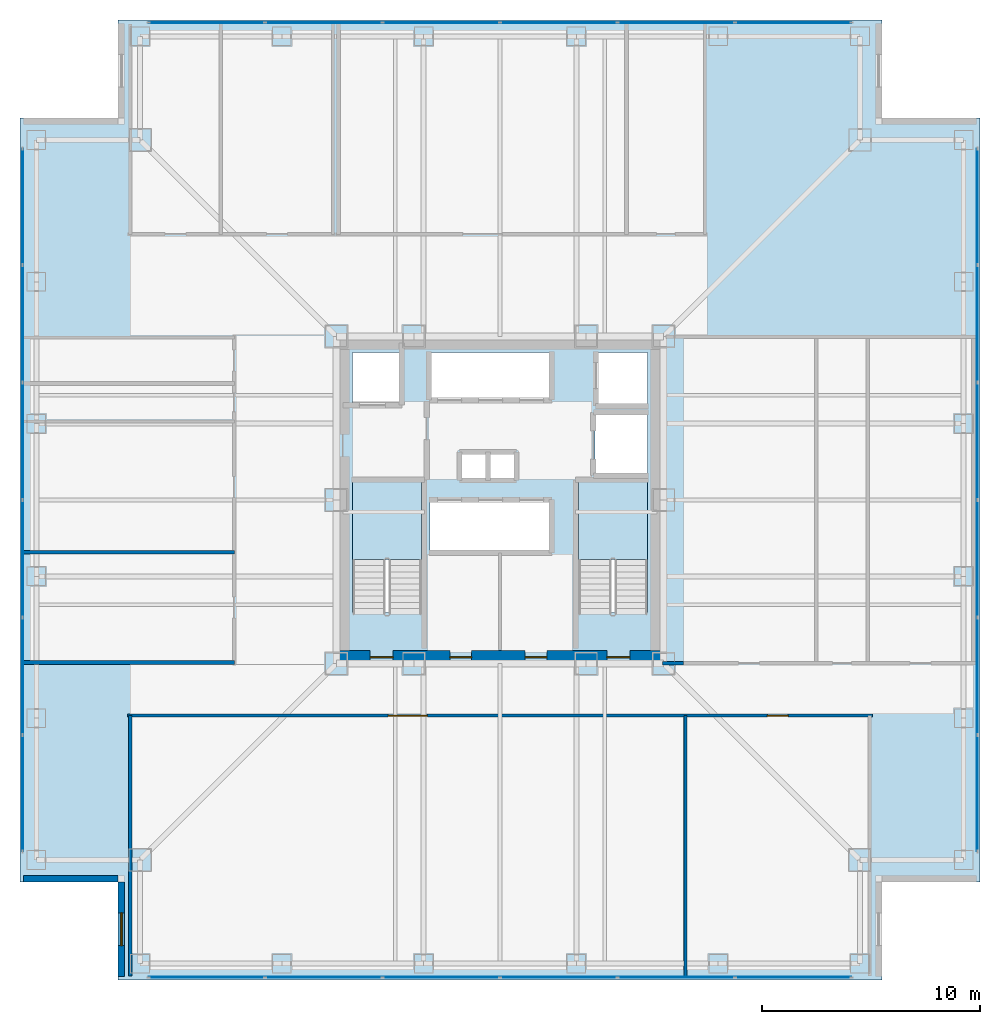
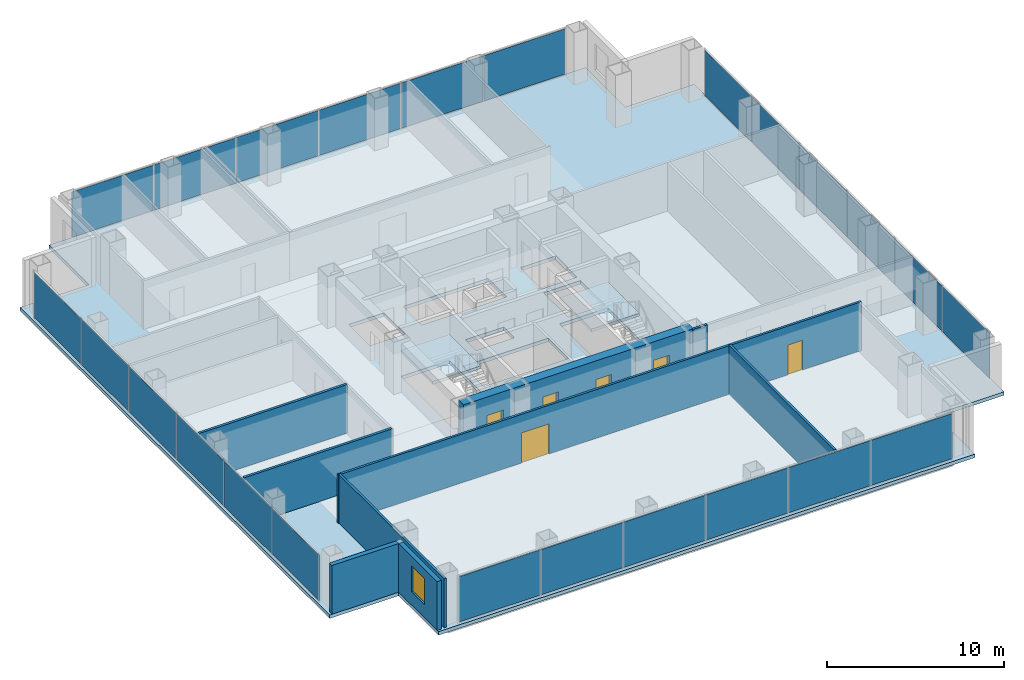
# One storey, part 9 of 14: 24 plates, 9 walls, 6 doors, 3 slabs, 1 window, 7 openings, 6 elements without a shape of their own.
"""IFC4 building model written with IfcOpenShell, lengths in metres."""

from ifc_helpers import new_model, si_unit, direction, frame, frame_2d, origin, origin_2d, place, context, subcontext, project, spatial, polyline, rectangle, outline, extrude, material, layer, layer_set, type_object, element, fill, aggregate, save


model = new_model("IFC4")

# Units and contexts
model_context = context("Model", 3, precision=1e-05, world=origin(), true_north=direction((0.0, 1.0)))
body_context = subcontext(model_context, "Body", "Model", "MODEL_VIEW")
ifc_project = project(units=[si_unit("LENGTHUNIT", "METRE"), si_unit("AREAUNIT", "SQUARE_METRE"), si_unit("VOLUMEUNIT", "CUBIC_METRE"), si_unit("PLANEANGLEUNIT", "RADIAN"), si_unit("MASSUNIT", "GRAM", prefix="KILO")], contexts=[model_context])

# Site, building, storey
site_placement = place(None, origin())
site = spatial("IfcSite", under=ifc_project, at=site_placement, CompositionType="ELEMENT")
building_placement = place(site_placement, origin())
building = spatial("IfcBuilding", under=site, at=building_placement, Name="Trevonay Congress Spire", CompositionType="ELEMENT")
storey_placement = place(building_placement, frame((0.0, 0.0, 140.800048828125)))
storey = spatial("IfcBuildingStorey", under=building, at=storey_placement, Name="L36", CompositionType="ELEMENT", Elevation=140.800048828125)

# Curtain wall, plates
ifc_material_1 = material(Name="Pale Anodised Aluminium EN AW-6063-T6", Category="aluminium")
ifc_layer_1 = layer(ifc_material_1, 0.175048828125, Name="Pale Anodised Aluminium EN AW-6063-T6")
ifc_layer_set_1 = layer_set([ifc_layer_1], Name="Pale Anodised Aluminium EN AW-6063-T6")
curtain_wall_type = type_object("IfcCurtainWallType", Name="CW-SYS03-CONGRESS-PALE-METAL", PredefinedType="NOTDEFINED", material=ifc_layer_set_1)
curtain_wall_1_placement = place(storey_placement, origin())
curtain_wall_1 = element("IfcCurtainWall", 1, at=curtain_wall_1_placement, inside=storey, type_object=curtain_wall_type, Name="L36 S unitised curtain wall", PredefinedType="NOTDEFINED")
ifc_material_2 = material(Name="Insulated Low-E Vision Glass IGU", Category="glass")
ifc_layer_2 = layer(ifc_material_2, 0.035888671875, Name="Insulated Low-E Vision Glass IGU")
ifc_layer_set_2 = layer_set([ifc_layer_2], Name="Insulated Low-E Vision Glass IGU")
plate_type = type_object("IfcPlateType", Name="CW-PANEL-IGU36-SILVER", PredefinedType="CURTAIN_PANEL", material=ifc_layer_set_2)
plate_1_placement = place(storey_placement, frame((-13.443359375, -21.8798828125, 0.119873046875), z_axis=(0.0, 0.0, 1.0), x_axis=(1.0, 0.0, 0.0)))
plate_1 = element("IfcPlate", 2, at=plate_1_placement, type_object=plate_type, Name="CW03 panel 1.1", PredefinedType="CURTAIN_PANEL", context=body_context, shape_type="SweptSolid", body=[
    extrude(rectangle(XDim=5.293212890625, YDim=0.035888671875, at=origin_2d()), origin(), (0.0, 0.0, 1.0), 3.1201171875),
])
plate_2_placement = place(storey_placement, frame((-8.074951171875, -21.8798828125, 0.119873046875), z_axis=(0.0, 0.0, 1.0), x_axis=(1.0, 0.0, 0.0)))
plate_2 = element("IfcPlate", 3, at=plate_2_placement, type_object=plate_type, Name="CW03 panel 2.1", PredefinedType="CURTAIN_PANEL", context=body_context, shape_type="SweptSolid", body=[
    extrude(rectangle(XDim=5.3232421875, YDim=0.035888671875, at=origin_2d()), origin(), (0.0, 0.0, 1.0), 3.1201171875),
])
plate_3_placement = place(storey_placement, frame((-2.691650390625, -21.8798828125, 0.119873046875), z_axis=(0.0, 0.0, 1.0), x_axis=(1.0, 0.0, 0.0)))
plate_3 = element("IfcPlate", 4, at=plate_3_placement, type_object=plate_type, Name="CW03 panel 3.1", PredefinedType="CURTAIN_PANEL", context=body_context, shape_type="SweptSolid", body=[
    extrude(rectangle(XDim=5.3232421875, YDim=0.035888671875, at=origin_2d()), origin(), (0.0, 0.0, 1.0), 3.1201171875),
])
plate_4_placement = place(storey_placement, frame((2.691650390625, -21.8798828125, 0.119873046875), z_axis=(0.0, 0.0, 1.0), x_axis=(1.0, 0.0, 0.0)))
plate_4 = element("IfcPlate", 5, at=plate_4_placement, type_object=plate_type, Name="CW03 panel 4.1", PredefinedType="CURTAIN_PANEL", context=body_context, shape_type="SweptSolid", body=[
    extrude(rectangle(XDim=5.3232421875, YDim=0.035888671875, at=origin_2d()), origin(), (0.0, 0.0, 1.0), 3.1201171875),
])
plate_5_placement = place(storey_placement, frame((8.074951171875, -21.8798828125, 0.119873046875), z_axis=(0.0, 0.0, 1.0), x_axis=(1.0, 0.0, 0.0)))
plate_5 = element("IfcPlate", 6, at=plate_5_placement, type_object=plate_type, Name="CW03 panel 5.1", PredefinedType="CURTAIN_PANEL", context=body_context, shape_type="SweptSolid", body=[
    extrude(rectangle(XDim=5.3232421875, YDim=0.035888671875, at=origin_2d()), origin(), (0.0, 0.0, 1.0), 3.1201171875),
])
plate_6_placement = place(storey_placement, frame((13.443359375, -21.8798828125, 0.119873046875), z_axis=(0.0, 0.0, 1.0), x_axis=(1.0, 0.0, 0.0)))
plate_6 = element("IfcPlate", 7, at=plate_6_placement, type_object=plate_type, Name="CW03 panel 6.1", PredefinedType="CURTAIN_PANEL", context=body_context, shape_type="SweptSolid", body=[
    extrude(rectangle(XDim=5.293212890625, YDim=0.035888671875, at=origin_2d()), origin(), (0.0, 0.0, 1.0), 3.1201171875),
])
aggregate(curtain_wall_1, [plate_1, plate_2, plate_3, plate_4, plate_5, plate_6])

curtain_wall_2_placement = place(storey_placement, origin())
curtain_wall_2 = element("IfcCurtainWall", 8, at=curtain_wall_2_placement, inside=storey, type_object=curtain_wall_type, Name="L36 N unitised curtain wall", PredefinedType="NOTDEFINED")
plate_7_placement = place(storey_placement, frame((-13.443359375, 21.8798828125, 0.119873046875), z_axis=(0.0, 0.0, 1.0), x_axis=(1.0, 0.0, 0.0)))
plate_7 = element("IfcPlate", 9, at=plate_7_placement, type_object=plate_type, Name="CW03 panel 1.1", PredefinedType="CURTAIN_PANEL", context=body_context, shape_type="SweptSolid", body=[
    extrude(rectangle(XDim=5.293212890625, YDim=0.035888671875, at=origin_2d()), origin(), (0.0, 0.0, 1.0), 3.1201171875),
])
plate_8_placement = place(storey_placement, frame((-8.074951171875, 21.8798828125, 0.119873046875), z_axis=(0.0, 0.0, 1.0), x_axis=(1.0, 0.0, 0.0)))
plate_8 = element("IfcPlate", 10, at=plate_8_placement, type_object=plate_type, Name="CW03 panel 2.1", PredefinedType="CURTAIN_PANEL", context=body_context, shape_type="SweptSolid", body=[
    extrude(rectangle(XDim=5.3232421875, YDim=0.035888671875, at=origin_2d()), origin(), (0.0, 0.0, 1.0), 3.1201171875),
])
plate_9_placement = place(storey_placement, frame((-2.691650390625, 21.8798828125, 0.119873046875), z_axis=(0.0, 0.0, 1.0), x_axis=(1.0, 0.0, 0.0)))
plate_9 = element("IfcPlate", 11, at=plate_9_placement, type_object=plate_type, Name="CW03 panel 3.1", PredefinedType="CURTAIN_PANEL", context=body_context, shape_type="SweptSolid", body=[
    extrude(rectangle(XDim=5.3232421875, YDim=0.035888671875, at=origin_2d()), origin(), (0.0, 0.0, 1.0), 3.1201171875),
])
plate_10_placement = place(storey_placement, frame((2.691650390625, 21.8798828125, 0.119873046875), z_axis=(0.0, 0.0, 1.0), x_axis=(1.0, 0.0, 0.0)))
plate_10 = element("IfcPlate", 12, at=plate_10_placement, type_object=plate_type, Name="CW03 panel 4.1", PredefinedType="CURTAIN_PANEL", context=body_context, shape_type="SweptSolid", body=[
    extrude(rectangle(XDim=5.3232421875, YDim=0.035888671875, at=origin_2d()), origin(), (0.0, 0.0, 1.0), 3.1201171875),
])
plate_11_placement = place(storey_placement, frame((8.074951171875, 21.8798828125, 0.119873046875), z_axis=(0.0, 0.0, 1.0), x_axis=(1.0, 0.0, 0.0)))
plate_11 = element("IfcPlate", 13, at=plate_11_placement, type_object=plate_type, Name="CW03 panel 5.1", PredefinedType="CURTAIN_PANEL", context=body_context, shape_type="SweptSolid", body=[
    extrude(rectangle(XDim=5.3232421875, YDim=0.035888671875, at=origin_2d()), origin(), (0.0, 0.0, 1.0), 3.1201171875),
])
plate_12_placement = place(storey_placement, frame((13.443359375, 21.8798828125, 0.119873046875), z_axis=(0.0, 0.0, 1.0), x_axis=(1.0, 0.0, 0.0)))
plate_12 = element("IfcPlate", 14, at=plate_12_placement, type_object=plate_type, Name="CW03 panel 6.1", PredefinedType="CURTAIN_PANEL", context=body_context, shape_type="SweptSolid", body=[
    extrude(rectangle(XDim=5.293212890625, YDim=0.035888671875, at=origin_2d()), origin(), (0.0, 0.0, 1.0), 3.1201171875),
])
aggregate(curtain_wall_2, [plate_7, plate_8, plate_9, plate_10, plate_11, plate_12])

curtain_wall_3_placement = place(storey_placement, origin())
curtain_wall_3 = element("IfcCurtainWall", 15, at=curtain_wall_3_placement, inside=storey, type_object=curtain_wall_type, Name="L36 W unitised curtain wall", PredefinedType="NOTDEFINED")
plate_13_placement = place(storey_placement, frame((-21.8798828125, -13.443359375, 0.119873046875), z_axis=(0.0, 0.0, 1.0), x_axis=(0.0, 1.0, 0.0)))
plate_13 = element("IfcPlate", 16, at=plate_13_placement, type_object=plate_type, Name="CW03 panel 1.1", PredefinedType="CURTAIN_PANEL", context=body_context, shape_type="SweptSolid", body=[
    extrude(rectangle(XDim=5.293212890625, YDim=0.035888671875, at=origin_2d()), origin(), (0.0, 0.0, 1.0), 3.1201171875),
])
plate_14_placement = place(storey_placement, frame((-21.8798828125, -8.074951171875, 0.119873046875), z_axis=(0.0, 0.0, 1.0), x_axis=(0.0, 1.0, 0.0)))
plate_14 = element("IfcPlate", 17, at=plate_14_placement, type_object=plate_type, Name="CW03 panel 2.1", PredefinedType="CURTAIN_PANEL", context=body_context, shape_type="SweptSolid", body=[
    extrude(rectangle(XDim=5.3232421875, YDim=0.035888671875, at=origin_2d()), origin(), (0.0, 0.0, 1.0), 3.1201171875),
])
plate_15_placement = place(storey_placement, frame((-21.8798828125, -2.691650390625, 0.119873046875), z_axis=(0.0, 0.0, 1.0), x_axis=(0.0, 1.0, 0.0)))
plate_15 = element("IfcPlate", 18, at=plate_15_placement, type_object=plate_type, Name="CW03 panel 3.1", PredefinedType="CURTAIN_PANEL", context=body_context, shape_type="SweptSolid", body=[
    extrude(rectangle(XDim=5.3232421875, YDim=0.035888671875, at=origin_2d()), origin(), (0.0, 0.0, 1.0), 3.1201171875),
])
plate_16_placement = place(storey_placement, frame((-21.8798828125, 2.691650390625, 0.119873046875), z_axis=(0.0, 0.0, 1.0), x_axis=(0.0, 1.0, 0.0)))
plate_16 = element("IfcPlate", 19, at=plate_16_placement, type_object=plate_type, Name="CW03 panel 4.1", PredefinedType="CURTAIN_PANEL", context=body_context, shape_type="SweptSolid", body=[
    extrude(rectangle(XDim=5.3232421875, YDim=0.035888671875, at=origin_2d()), origin(), (0.0, 0.0, 1.0), 3.1201171875),
])
plate_17_placement = place(storey_placement, frame((-21.8798828125, 8.074951171875, 0.119873046875), z_axis=(0.0, 0.0, 1.0), x_axis=(0.0, 1.0, 0.0)))
plate_17 = element("IfcPlate", 20, at=plate_17_placement, type_object=plate_type, Name="CW03 panel 5.1", PredefinedType="CURTAIN_PANEL", context=body_context, shape_type="SweptSolid", body=[
    extrude(rectangle(XDim=5.3232421875, YDim=0.035888671875, at=origin_2d()), origin(), (0.0, 0.0, 1.0), 3.1201171875),
])
plate_18_placement = place(storey_placement, frame((-21.8798828125, 13.443359375, 0.119873046875), z_axis=(0.0, 0.0, 1.0), x_axis=(0.0, 1.0, 0.0)))
plate_18 = element("IfcPlate", 21, at=plate_18_placement, type_object=plate_type, Name="CW03 panel 6.1", PredefinedType="CURTAIN_PANEL", context=body_context, shape_type="SweptSolid", body=[
    extrude(rectangle(XDim=5.293212890625, YDim=0.035888671875, at=origin_2d()), origin(), (0.0, 0.0, 1.0), 3.1201171875),
])
aggregate(curtain_wall_3, [plate_13, plate_14, plate_15, plate_16, plate_17, plate_18])

curtain_wall_4_placement = place(storey_placement, origin())
curtain_wall_4 = element("IfcCurtainWall", 22, at=curtain_wall_4_placement, inside=storey, type_object=curtain_wall_type, Name="L36 E unitised curtain wall", PredefinedType="NOTDEFINED")
plate_19_placement = place(storey_placement, frame((21.8798828125, -13.443359375, 0.119873046875), z_axis=(0.0, 0.0, 1.0), x_axis=(0.0, 1.0, 0.0)))
plate_19 = element("IfcPlate", 23, at=plate_19_placement, type_object=plate_type, Name="CW03 panel 1.1", PredefinedType="CURTAIN_PANEL", context=body_context, shape_type="SweptSolid", body=[
    extrude(rectangle(XDim=5.293212890625, YDim=0.035888671875, at=origin_2d()), origin(), (0.0, 0.0, 1.0), 3.1201171875),
])
plate_20_placement = place(storey_placement, frame((21.8798828125, -8.074951171875, 0.119873046875), z_axis=(0.0, 0.0, 1.0), x_axis=(0.0, 1.0, 0.0)))
plate_20 = element("IfcPlate", 24, at=plate_20_placement, type_object=plate_type, Name="CW03 panel 2.1", PredefinedType="CURTAIN_PANEL", context=body_context, shape_type="SweptSolid", body=[
    extrude(rectangle(XDim=5.3232421875, YDim=0.035888671875, at=origin_2d()), origin(), (0.0, 0.0, 1.0), 3.1201171875),
])
plate_21_placement = place(storey_placement, frame((21.8798828125, -2.691650390625, 0.119873046875), z_axis=(0.0, 0.0, 1.0), x_axis=(0.0, 1.0, 0.0)))
plate_21 = element("IfcPlate", 25, at=plate_21_placement, type_object=plate_type, Name="CW03 panel 3.1", PredefinedType="CURTAIN_PANEL", context=body_context, shape_type="SweptSolid", body=[
    extrude(rectangle(XDim=5.3232421875, YDim=0.035888671875, at=origin_2d()), origin(), (0.0, 0.0, 1.0), 3.1201171875),
])
plate_22_placement = place(storey_placement, frame((21.8798828125, 2.691650390625, 0.119873046875), z_axis=(0.0, 0.0, 1.0), x_axis=(0.0, 1.0, 0.0)))
plate_22 = element("IfcPlate", 26, at=plate_22_placement, type_object=plate_type, Name="CW03 panel 4.1", PredefinedType="CURTAIN_PANEL", context=body_context, shape_type="SweptSolid", body=[
    extrude(rectangle(XDim=5.3232421875, YDim=0.035888671875, at=origin_2d()), origin(), (0.0, 0.0, 1.0), 3.1201171875),
])
plate_23_placement = place(storey_placement, frame((21.8798828125, 8.074951171875, 0.119873046875), z_axis=(0.0, 0.0, 1.0), x_axis=(0.0, 1.0, 0.0)))
plate_23 = element("IfcPlate", 27, at=plate_23_placement, type_object=plate_type, Name="CW03 panel 5.1", PredefinedType="CURTAIN_PANEL", context=body_context, shape_type="SweptSolid", body=[
    extrude(rectangle(XDim=5.3232421875, YDim=0.035888671875, at=origin_2d()), origin(), (0.0, 0.0, 1.0), 3.1201171875),
])
plate_24_placement = place(storey_placement, frame((21.8798828125, 13.443359375, 0.119873046875), z_axis=(0.0, 0.0, 1.0), x_axis=(0.0, 1.0, 0.0)))
plate_24 = element("IfcPlate", 28, at=plate_24_placement, type_object=plate_type, Name="CW03 panel 6.1", PredefinedType="CURTAIN_PANEL", context=body_context, shape_type="SweptSolid", body=[
    extrude(rectangle(XDim=5.293212890625, YDim=0.035888671875, at=origin_2d()), origin(), (0.0, 0.0, 1.0), 3.1201171875),
])
aggregate(curtain_wall_4, [plate_19, plate_20, plate_21, plate_22, plate_23, plate_24])

# Stair, slab
ifc_material_3 = material(Name="Concrete C40/50", Category="concrete")
stair_type_1 = type_object("IfcStairType", Name="STR-ST-1", PredefinedType="HALF_TURN_STAIR", material=ifc_material_3)
stair_1_placement = place(storey_placement, origin())
stair_1 = element("IfcStair", 29, at=stair_1_placement, inside=storey, type_object=stair_type_1, Name="L36 Protected Exit Stair ST-1", PredefinedType="HALF_TURN_STAIR")
ifc_layer_3 = layer(ifc_material_3, 0.199951171875, Name="Concrete C40/50")
ifc_layer_set_3 = layer_set([ifc_layer_3], Name="Concrete C40/50")
slab_type_1 = type_object("IfcSlabType", Name="SLB-STAIR-LAND-200", PredefinedType="LANDING", material=ifc_layer_set_3)
slab_1_placement = place(storey_placement, frame((0.0, 0.0, 1.599853515625)))
slab_1 = element("IfcSlab", 30, at=slab_1_placement, type_object=slab_type_1, Name="ST-1 landing 1", PredefinedType="LANDING", context=body_context, shape_type="SweptSolid", body=[
    extrude(outline(polyline([(-3.60009765625, -2.72998046875), (-3.60009765625, 0.85009765625), (-6.75, 0.85009765625), (-6.75, -2.72998046875), (-3.60009765625, -2.72998046875)])), origin(), (0.0, 0.0, 1.0), 0.2001953125),
])
aggregate(stair_1, [slab_1])

stair_type_2 = type_object("IfcStairType", Name="STR-ST-2", PredefinedType="HALF_TURN_STAIR", material=ifc_material_3)
stair_2_placement = place(storey_placement, origin())
stair_2 = element("IfcStair", 31, at=stair_2_placement, inside=storey, type_object=stair_type_2, Name="L36 Protected Exit Stair ST-2", PredefinedType="HALF_TURN_STAIR")
slab_2_placement = place(storey_placement, frame((0.0, 0.0, 1.599853515625)))
slab_2 = element("IfcSlab", 32, at=slab_2_placement, type_object=slab_type_1, Name="ST-2 landing 1", PredefinedType="LANDING", context=body_context, shape_type="SweptSolid", body=[
    extrude(outline(polyline([(6.75, -2.72998046875), (6.75, 0.85009765625), (3.60009765625, 0.85009765625), (3.60009765625, -2.72998046875), (6.75, -2.72998046875)])), origin(), (0.0, 0.0, 1.0), 0.2001953125),
])
aggregate(stair_2, [slab_2])

# Slab
ifc_layer_4 = layer(ifc_material_3, 0.239990234375, Name="Concrete C40/50")
ifc_layer_set_4 = layer_set([ifc_layer_4], Name="Concrete C40/50")
slab_type_2 = type_object("IfcSlabType", Name="SLB-TOW2-240", PredefinedType="FLOOR", material=ifc_layer_set_4)
slab_3_placement = place(storey_placement, frame((0.0, 0.0, -0.239990234375)))
element("IfcSlab", 33, at=slab_3_placement, inside=storey, type_object=slab_type_2, Name="L36 structural floor slab", PredefinedType="FLOOR", context=body_context, shape_type="SweptSolid", body=[
    extrude(outline(polyline([(-17.5, -22.0), (17.5, -22.0), (17.5, -17.5), (22.0, -17.5), (22.0, 17.5), (17.5, 17.5), (17.5, 22.0), (-17.5, 22.0), (-17.5, 17.5), (-22.0, 17.5), (-22.0, -17.5), (-17.5, -17.5), (-17.5, -22.0)]), holes=[polyline([(-3.60009765625, -5.14990234375), (-3.60009765625, 0.85009765625), (-6.75, 0.85009765625), (-6.75, -5.14990234375), (-3.60009765625, -5.14990234375)]), polyline([(6.75, -5.14990234375), (6.75, 0.85009765625), (3.60009765625, 0.85009765625), (3.60009765625, -5.14990234375), (6.75, -5.14990234375)]), polyline([(-3.199951171875, -2.35009765625), (2.340087890625, -2.35009765625), (2.340087890625, -0.050048828125), (-3.199951171875, -0.050048828125), (-3.199951171875, -2.35009765625)]), polyline([(-3.199951171875, 4.64990234375), (2.340087890625, 4.64990234375), (2.340087890625, 6.75), (-3.199951171875, 6.75), (-3.199951171875, 4.64990234375)]), polyline([(-6.75, 4.35009765625), (-4.449951171875, 4.35009765625), (-4.449951171875, 6.75), (-6.75, 6.75), (-6.75, 4.35009765625)]), polyline([(4.449951171875, 4.35009765625), (6.75, 4.35009765625), (6.75, 6.75), (4.449951171875, 6.75), (4.449951171875, 4.35009765625)]), polyline([(4.35009765625, 1.199951171875), (6.75, 1.199951171875), (6.75, 3.949951171875), (4.35009765625, 3.949951171875), (4.35009765625, 1.199951171875)]), polyline([(-1.800048828125, 0.949951171875), (0.699951171875, 0.949951171875), (0.699951171875, 2.14990234375), (-1.800048828125, 2.14990234375), (-1.800048828125, 0.949951171875)])]), origin(), (0.0, 0.0, 1.0), 0.239990234375),
])

# Wall, openings, doors
ifc_material_4 = material(Name="Concrete C60/75", Category="concrete")
ifc_layer_5 = layer(ifc_material_4, 0.60009765625, Name="Concrete C60/75")
ifc_layer_set_5 = layer_set([ifc_layer_5], Name="Concrete C60/75")
wall_type_1 = type_object("IfcWallType", Name="WAL-CORE-600", PredefinedType="SHEAR", material=ifc_layer_set_5)
wall_1_placement = place(storey_placement, frame((-7.5, -7.199951171875, 0.0), z_axis=(0.0, 0.0, 1.0), x_axis=(1.0, 0.0, 0.0)))
wall_1 = element("IfcWall", 34, at=wall_1_placement, inside=storey, type_object=wall_type_1, Name="L36 South structural core shear wall", PredefinedType="SHEAR", context=body_context, shape_type="SweptSolid", body=[
    extrude(rectangle(XDim=15.0, YDim=0.60009765625, at=frame_2d((7.5, 0.0))), origin(), (0.0, 0.0, 1.0), 3.35986328125),
])
opening_1_placement = place(wall_1_placement, frame((1.550048828125, 0.0, 0.0)))
opening_1 = element("IfcOpeningElement", 35, at=opening_1_placement, cuts=wall_1, Name="Opening D05", PredefinedType="OPENING", context=body_context, shape_type="SweptSolid", body=[
    extrude(rectangle(XDim=1.050048828125, YDim=2.080078125, at=frame_2d((0.52490234375, 1.0400390625))), frame((0.0, 0.31005859375, 0.0), z_axis=(0.0, -1.0, 0.0), x_axis=(1.0, 0.0, 0.0)), (0.0, 0.0, 1.0), 0.6201171875),
])
opening_2_placement = place(wall_1_placement, frame((12.39990234375, 0.0, 0.0)))
opening_2 = element("IfcOpeningElement", 36, at=opening_2_placement, cuts=wall_1, Name="Opening D05", PredefinedType="OPENING", context=body_context, shape_type="SweptSolid", body=[
    extrude(rectangle(XDim=1.050048828125, YDim=2.080078125, at=frame_2d((0.52490234375, 1.0400390625))), frame((0.0, 0.31005859375, 0.0), z_axis=(0.0, -1.0, 0.0), x_axis=(1.0, 0.0, 0.0)), (0.0, 0.0, 1.0), 0.6201171875),
])
opening_3_placement = place(wall_1_placement, frame((5.199951171875, 0.0, 0.0)))
opening_3 = element("IfcOpeningElement", 37, at=opening_3_placement, cuts=wall_1, Name="Opening D06", PredefinedType="OPENING", context=body_context, shape_type="SweptSolid", body=[
    extrude(rectangle(XDim=1.0, YDim=2.080078125, at=frame_2d((0.5, 1.0400390625))), frame((0.0, 0.31005859375, 0.0), z_axis=(0.0, -1.0, 0.0), x_axis=(1.0, 0.0, 0.0)), (0.0, 0.0, 1.0), 0.6201171875),
])
opening_4_placement = place(wall_1_placement, frame((8.64990234375, 0.0, 0.0)))
opening_4 = element("IfcOpeningElement", 38, at=opening_4_placement, cuts=wall_1, Name="Opening D06", PredefinedType="OPENING", context=body_context, shape_type="SweptSolid", body=[
    extrude(rectangle(XDim=1.0, YDim=2.080078125, at=frame_2d((0.5, 1.0400390625))), frame((0.0, 0.31005859375, 0.0), z_axis=(0.0, -1.0, 0.0), x_axis=(1.0, 0.0, 0.0)), (0.0, 0.0, 1.0), 0.6201171875),
])
ifc_material_5 = material(Name="Steel ASTM A572 Grade 50", Category="steel")
door_type_1 = type_object("IfcDoorType", Name="DOR-FIRE-100", OperationType="NOTDEFINED", PredefinedType="DOOR", material=ifc_material_5)
door_1_placement = place(opening_3_placement, origin())
door_1 = element("IfcDoor", 39, at=door_1_placement, inside=storey, type_object=door_type_1, Name="L36 South Core Room 1 Door", OperationType="SINGLE_SWING_RIGHT", OverallHeight=2.080078125, OverallWidth=1.0, PredefinedType="DOOR", context=body_context, shape_type="SweptSolid", body=[
    extrude(rectangle(XDim=1.0, YDim=2.080078125, at=frame_2d((0.5, 1.0400390625))), frame((0.0, 0.02490234375, 0.0), z_axis=(0.0, -1.0, 0.0), x_axis=(1.0, 0.0, 0.0)), (0.0, 0.0, 1.0), 0.050048828125),
])
fill(opening_3, door_1)
door_2_placement = place(opening_4_placement, origin())
door_2 = element("IfcDoor", 40, at=door_2_placement, inside=storey, type_object=door_type_1, Name="L36 South Core Room 2 Door", OperationType="SINGLE_SWING_LEFT", OverallHeight=2.080078125, OverallWidth=1.0, PredefinedType="DOOR", context=body_context, shape_type="SweptSolid", body=[
    extrude(rectangle(XDim=1.0, YDim=2.080078125, at=frame_2d((0.5, 1.0400390625))), frame((0.0, 0.02490234375, 0.0), z_axis=(0.0, -1.0, 0.0), x_axis=(1.0, 0.0, 0.0)), (0.0, 0.0, 1.0), 0.050048828125),
])
fill(opening_4, door_2)
door_type_2 = type_object("IfcDoorType", Name="DOR-STAIR-110", OperationType="NOTDEFINED", PredefinedType="DOOR", material=ifc_material_5)
door_3_placement = place(opening_1_placement, origin())
door_3 = element("IfcDoor", 41, at=door_3_placement, inside=storey, type_object=door_type_2, Name="L36 Protected Stair ST-1 Door", OperationType="SINGLE_SWING_LEFT", OverallHeight=2.080078125, OverallWidth=1.050048828125, PredefinedType="DOOR", context=body_context, shape_type="SweptSolid", body=[
    extrude(rectangle(XDim=1.050048828125, YDim=2.080078125, at=frame_2d((0.52490234375, 1.0400390625))), frame((0.0, 0.02490234375, 0.0), z_axis=(0.0, -1.0, 0.0), x_axis=(1.0, 0.0, 0.0)), (0.0, 0.0, 1.0), 0.050048828125),
])
fill(opening_1, door_3)
door_4_placement = place(opening_2_placement, origin())
door_4 = element("IfcDoor", 42, at=door_4_placement, inside=storey, type_object=door_type_2, Name="L36 Protected Stair ST-2 Door", OperationType="SINGLE_SWING_RIGHT", OverallHeight=2.080078125, OverallWidth=1.050048828125, PredefinedType="DOOR", context=body_context, shape_type="SweptSolid", body=[
    extrude(rectangle(XDim=1.050048828125, YDim=2.080078125, at=frame_2d((0.52490234375, 1.0400390625))), frame((0.0, 0.02490234375, 0.0), z_axis=(0.0, -1.0, 0.0), x_axis=(1.0, 0.0, 0.0)), (0.0, 0.0, 1.0), 0.050048828125),
])
fill(opening_2, door_4)

ifc_layer_6 = layer(ifc_material_3, 0.14990234375, Name="Concrete C40/50")
ifc_layer_set_6 = layer_set([ifc_layer_6], Name="Concrete C40/50")
wall_type_2 = type_object("IfcWallType", Name="WAL-CORR-150", PredefinedType="PARTITIONING", material=ifc_layer_set_6)
wall_2_placement = place(storey_placement, frame((-17.070068359375, -9.8798828125, 0.0), z_axis=(0.0, 0.0, 1.0), x_axis=(1.0, 0.0, 0.0)))
wall_2 = element("IfcWall", 43, at=wall_2_placement, inside=storey, type_object=wall_type_2, Name="L36 interior wall WP-L36S-COR", PredefinedType="PARTITIONING", context=body_context, shape_type="SweptSolid", body=[
    extrude(rectangle(XDim=34.14013671875, YDim=0.14990234375, at=frame_2d((17.070068359375, 0.0))), origin(), (0.0, 0.0, 1.0), 3.35986328125),
])
opening_5_placement = place(wall_2_placement, frame((11.945068359375, 0.0, 0.0)))
opening_5 = element("IfcOpeningElement", 44, at=opening_5_placement, cuts=wall_2, Name="Opening D09", PredefinedType="OPENING", context=body_context, shape_type="SweptSolid", body=[
    extrude(rectangle(XDim=1.800048828125, YDim=2.080078125, at=frame_2d((0.89990234375, 1.0400390625))), frame((0.0, 0.0849609375, 0.0), z_axis=(0.0, -1.0, 0.0), x_axis=(1.0, 0.0, 0.0)), (0.0, 0.0, 1.0), 0.169921875),
])
opening_6_placement = place(wall_2_placement, frame((29.320068359375, 0.0, 0.0)))
opening_6 = element("IfcOpeningElement", 45, at=opening_6_placement, cuts=wall_2, Name="Opening D07", PredefinedType="OPENING", context=body_context, shape_type="SweptSolid", body=[
    extrude(rectangle(XDim=0.949951171875, YDim=2.06005859375, at=frame_2d((0.47509765625, 1.030029296875))), frame((0.0, 0.0849609375, 0.0), z_axis=(0.0, -1.0, 0.0), x_axis=(1.0, 0.0, 0.0)), (0.0, 0.0, 1.0), 0.169921875),
])
door_type_3 = type_object("IfcDoorType", Name="DOR-CONF-DBL", OperationType="DOUBLE_DOOR_SINGLE_SWING", PredefinedType="DOOR", material=ifc_material_1)
door_5_placement = place(opening_5_placement, origin())
door_5 = element("IfcDoor", 46, at=door_5_placement, inside=storey, type_object=door_type_3, Name="L36 Thematic Poster Exhibition Gallery A Door", OperationType="DOUBLE_DOOR_SINGLE_SWING", OverallHeight=2.080078125, OverallWidth=1.800048828125, PredefinedType="DOOR", context=body_context, shape_type="SweptSolid", body=[
    extrude(rectangle(XDim=1.800048828125, YDim=2.080078125, at=frame_2d((0.89990234375, 1.0400390625))), frame((0.0, 0.02490234375, 0.0), z_axis=(0.0, -1.0, 0.0), x_axis=(1.0, 0.0, 0.0)), (0.0, 0.0, 1.0), 0.050048828125),
])
fill(opening_5, door_5)
door_type_4 = type_object("IfcDoorType", Name="DOR-OFFICE-95", OperationType="NOTDEFINED", PredefinedType="DOOR", material=ifc_material_1)
door_6_placement = place(opening_6_placement, origin())
door_6 = element("IfcDoor", 47, at=door_6_placement, inside=storey, type_object=door_type_4, Name="L36 Curatorial Preparation Office Door", OperationType="SINGLE_SWING_LEFT", OverallHeight=2.06005859375, OverallWidth=0.949951171875, PredefinedType="DOOR", context=body_context, shape_type="SweptSolid", body=[
    extrude(rectangle(XDim=0.949951171875, YDim=2.06005859375, at=frame_2d((0.47509765625, 1.030029296875))), frame((0.0, 0.02490234375, 0.0), z_axis=(0.0, -1.0, 0.0), x_axis=(1.0, 0.0, 0.0)), (0.0, 0.0, 1.0), 0.050048828125),
])
fill(opening_6, door_6)

# Wall
wall_3_placement = place(storey_placement, frame((7.449951171875, -7.47998046875, 0.0), z_axis=(0.0, 0.0, 1.0), x_axis=(1.0, 0.0, 0.0)))
element("IfcWall", 48, at=wall_3_placement, inside=storey, type_object=wall_type_2, Name="L36 interior wall WP-L36E-STUB", PredefinedType="PARTITIONING", context=body_context, shape_type="SweptSolid", body=[
    extrude(rectangle(XDim=0.949951171875, YDim=0.14990234375, at=frame_2d((0.47509765625, 0.0))), origin(), (0.0, 0.0, 1.0), 3.35986328125),
])

# Wall, opening, window
ifc_material_6 = material(Name="Precast concrete C40/50", Category="concrete")
ifc_layer_7 = layer(ifc_material_6, 0.300048828125, Name="Precast concrete C40/50")
ifc_layer_set_7 = layer_set([ifc_layer_7], Name="Precast concrete C40/50")
wall_type_3 = type_object("IfcWallType", Name="WAL-EXT-PRECAST-300", PredefinedType="SOLIDWALL", material=ifc_layer_set_7)
wall_4_placement = place(storey_placement, frame((-17.35009765625, -21.85009765625, 0.0), z_axis=(0.0, 0.0, 1.0), x_axis=(0.0, 1.0, 0.0)))
wall_4 = element("IfcWall", 49, at=wall_4_placement, inside=storey, type_object=wall_type_3, Name="L36 SW re-entrant notch exterior wall 1", PredefinedType="SOLIDWALL", context=body_context, shape_type="SweptSolid", body=[
    extrude(rectangle(XDim=4.35009765625, YDim=0.300048828125, at=frame_2d((2.175048828125, 0.0))), origin(), (0.0, 0.0, 1.0), 3.35986328125),
])
opening_7_placement = place(wall_4_placement, frame((1.425048828125, 0.0, 0.89990234375)))
opening_7 = element("IfcOpeningElement", 50, at=opening_7_placement, cuts=wall_4, Name="Opening WN03", PredefinedType="OPENING", context=body_context, shape_type="SweptSolid", body=[
    extrude(rectangle(XDim=1.5, YDim=1.800048828125, at=frame_2d((0.75, 0.89990234375))), frame((0.0, 0.16015625, 0.0), z_axis=(0.0, -1.0, 0.0), x_axis=(1.0, 0.0, 0.0)), (0.0, 0.0, 1.0), 0.320068359375),
])
window_type = type_object("IfcWindowType", Name="WIN-NOTCH-150X180", PartitioningType="SINGLE_PANEL", PredefinedType="WINDOW", material=ifc_material_2)
window_placement = place(opening_7_placement, origin())
window = element("IfcWindow", 51, at=window_placement, inside=storey, type_object=window_type, Name="L36 SW corner notch window", OverallHeight=1.800048828125, OverallWidth=1.5, PartitioningType="SINGLE_PANEL", PredefinedType="WINDOW", context=body_context, shape_type="SweptSolid", body=[
    extrude(rectangle(XDim=1.5, YDim=1.800048828125, at=frame_2d((0.75, 0.89990234375))), frame((0.0, 0.030029296875, 0.0), z_axis=(0.0, -1.0, 0.0), x_axis=(1.0, 0.0, 0.0)), (0.0, 0.0, 1.0), 0.06005859375),
])
fill(opening_7, window)

# Walls
wall_5_placement = place(storey_placement, frame((-21.85009765625, -17.35009765625, 0.0), z_axis=(0.0, 0.0, 1.0), x_axis=(1.0, 0.0, 0.0)))
element("IfcWall", 52, at=wall_5_placement, inside=storey, type_object=wall_type_3, Name="L36 SW re-entrant notch exterior wall 2", PredefinedType="SOLIDWALL", context=body_context, shape_type="SweptSolid", body=[
    extrude(rectangle(XDim=4.35009765625, YDim=0.300048828125, at=frame_2d((2.175048828125, 0.0))), origin(), (0.0, 0.0, 1.0), 3.35986328125),
])
ifc_layer_8 = layer(ifc_material_3, 0.14990234375, Name="Concrete C40/50")
ifc_layer_set_8 = layer_set([ifc_layer_8], Name="Concrete C40/50")
wall_type_4 = type_object("IfcWallType", Name="WAL-PART-150", PredefinedType="PARTITIONING", material=ifc_layer_set_8)
for number, where, z_axis, x_axis, name in (
    (53, (-16.949951171875, -21.820068359375, 0.0), (0.0, 0.0, 1.0), (0.0, 1.0, 0.0), "L36 interior wall WP-L36S-DIV1"),
    (54, (8.5, -21.820068359375, 0.0), (0.0, 0.0, 1.0), (0.0, 1.0, 0.0), "L36 interior wall WP-L36S-DIV2"),
):
    element("IfcWall", number, at=place(storey_placement, frame(where, z_axis=z_axis, x_axis=x_axis)), inside=storey, type_object=wall_type_4, Name=name, PredefinedType="PARTITIONING", context=body_context, shape_type="SweptSolid", body=[
        extrude(rectangle(XDim=11.940185546875, YDim=0.14990234375, at=frame_2d((5.97021484375, 0.0))), origin(), (0.0, 0.0, 1.0), 3.35986328125),
    ])
ifc_layer_9 = layer(ifc_material_3, 0.1650390625, Name="Concrete C40/50")
ifc_layer_set_9 = layer_set([ifc_layer_9], Name="Concrete C40/50")
wall_type_5 = type_object("IfcWallType", Name="WAL-WET-165", PredefinedType="PLUMBINGWALL", material=ifc_layer_set_9)
for number, where, z_axis, x_axis, name in (
    (55, (-21.820068359375, -7.449951171875, 0.0), (0.0, 0.0, 1.0), (1.0, 0.0, 0.0), "L36 interior wall WP-L36W-DIV1"),
    (56, (-21.820068359375, -2.39990234375, 0.0), (0.0, 0.0, 1.0), (1.0, 0.0, 0.0), "L36 interior wall WP-L36W-DIV2"),
):
    element("IfcWall", number, at=place(storey_placement, frame(where, z_axis=z_axis, x_axis=x_axis)), inside=storey, type_object=wall_type_5, Name=name, PredefinedType="PLUMBINGWALL", context=body_context, shape_type="SweptSolid", body=[
        extrude(rectangle(XDim=9.64013671875, YDim=0.1650390625, at=frame_2d((4.820068359375, 0.0))), origin(), (0.0, 0.0, 1.0), 3.35986328125),
    ])

save(model, "model.ifc")
